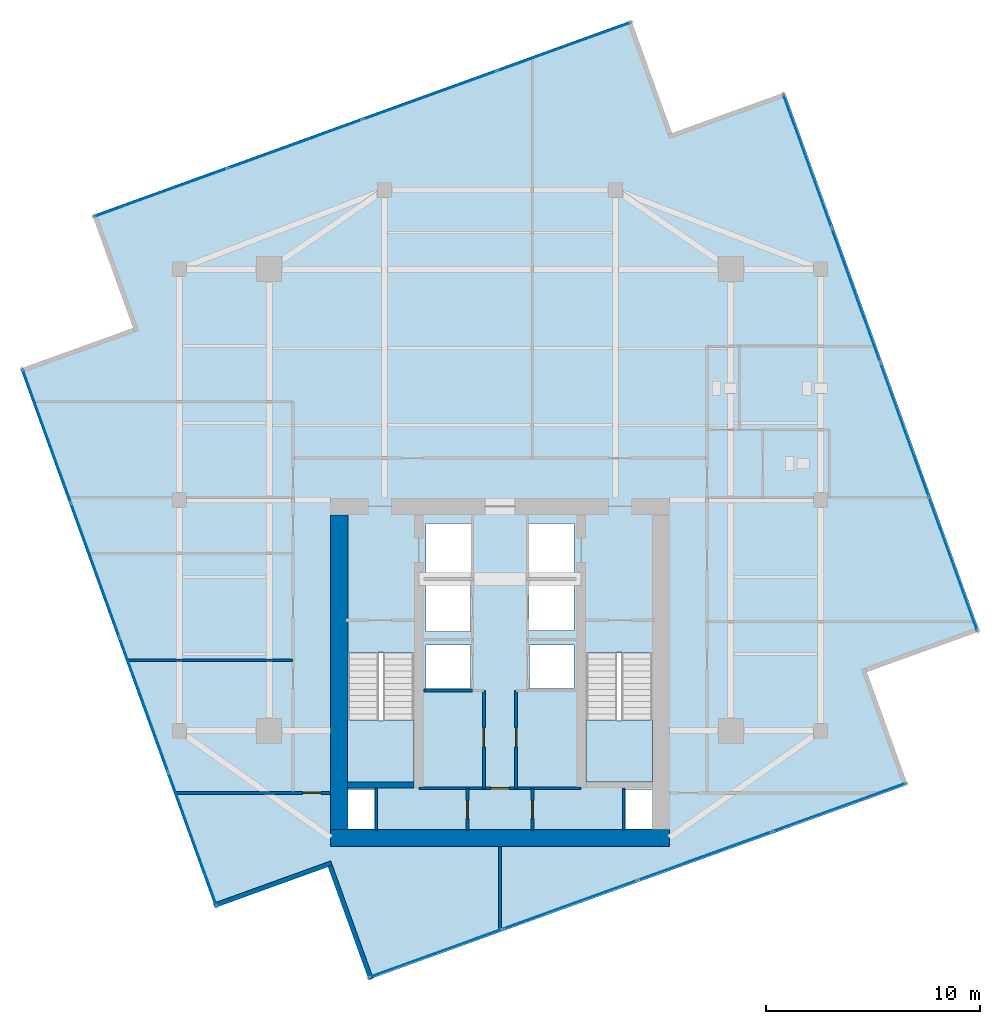
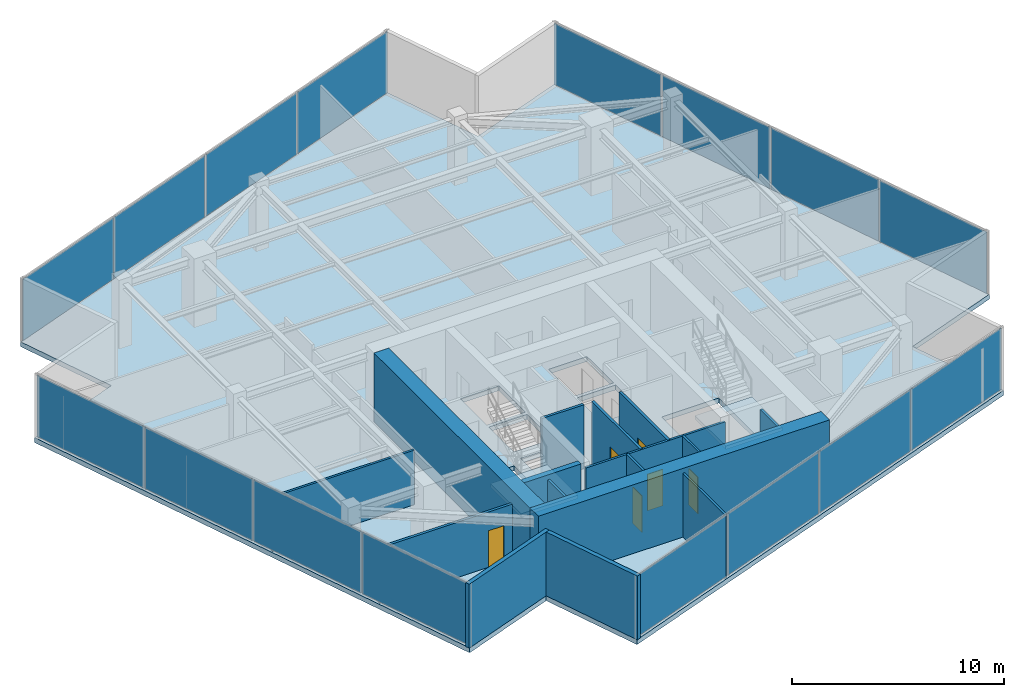
# One storey, part 17 of 21: 16 plates, 16 walls, 6 doors, 3 slabs, 6 openings, 6 elements without a shape of their own.
"""IFC4 building model written with IfcOpenShell, lengths in metres."""

import ifcopenshell
import ifcopenshell.guid

model = None  # the IFC model being written
_history = None  # IfcOwnerHistory: only IFC2X3 demands one
_inside = {}  # id of a spatial element -> (the spatial element, [elements in it])
_under = {}  # id of a project, library or spatial element -> (it, [spatial elements below it])
_declared = {}  # id of a project -> (the project, [libraries it declares])
_typed = {}  # id of a type object -> (the type object, [elements of that type])
_made_of = {}  # id of a material, layer set ... -> (it, [elements and type objects made of it])


def new_model(schema):
    """Start an empty IFC model of exactly this schema.

    Asked for "IFC4X3", IfcOpenShell would pick the latest addendum, in which some entities
    have other attributes; the version numbers below select the first issue.
    IFC2X3 requires an IfcOwnerHistory on every rooted entity: one is made here for all.
    """
    global model, _history
    if schema == "IFC4X3":
        model = ifcopenshell.file(schema_version=(4, 3, 0, 0))
    else:
        model = ifcopenshell.file(schema=schema)
    _inside.clear()
    _under.clear()
    _declared.clear()
    _typed.clear()
    _made_of.clear()
    _history = None
    if model.schema == "IFC2X3":
        org = make("IfcOrganization", Name="unknown")
        user = make(
            "IfcPersonAndOrganization",
            ThePerson=make("IfcPerson", FamilyName="unknown"),
            TheOrganization=org,
        )
        app = make(
            "IfcApplication",
            ApplicationDeveloper=org,
            Version="unknown",
            ApplicationFullName="unknown",
            ApplicationIdentifier="unknown",
        )
        _history = make(
            "IfcOwnerHistory",
            OwningUser=user,
            OwningApplication=app,
            ChangeAction="ADDED",
            CreationDate=0,
        )
    return model


def make(cls, **values):
    """One entity of the class cls with the attributes given. An attribute that is None is left unset."""
    return model.create_entity(
        cls, **{name: value for name, value in values.items() if value is not None}
    )


def rooted(cls, **values):
    """An entity with a GlobalId (a new one), such as an element, a storey or a relation."""
    return make(cls, GlobalId=ifcopenshell.guid.new(), OwnerHistory=_history, **values)


def si_unit(unit_type, name, prefix=None):
    """IfcSIUnit, for example si_unit("LENGTHUNIT", "METRE", prefix="MILLI")."""
    return make("IfcSIUnit", UnitType=unit_type, Prefix=prefix, Name=name)


def assignment(units):
    """IfcUnitAssignment: the units of a project."""
    return None if units is None else make("IfcUnitAssignment", Units=units)


def point(xyz):
    """IfcCartesianPoint."""
    return None if xyz is None else make("IfcCartesianPoint", Coordinates=xyz)


def direction(xyz):
    """IfcDirection."""
    return None if xyz is None else make("IfcDirection", DirectionRatios=xyz)


def frame(location, z_axis=None, x_axis=None):
    """IfcAxis2Placement3D, a coordinate frame: its origin and axes. An axis left out is left unset."""
    return make(
        "IfcAxis2Placement3D",
        Location=point(location),
        Axis=direction(z_axis),
        RefDirection=direction(x_axis),
    )


def frame_2d(location, x_axis=None):
    """IfcAxis2Placement2D, a coordinate frame in the plane: its origin and x axis."""
    return make(
        "IfcAxis2Placement2D", Location=point(location), RefDirection=direction(x_axis)
    )


def origin():
    """The frame at (0, 0, 0) with its axes left unset."""
    return frame((0.0, 0.0, 0.0))


def origin_2d():
    """The frame at (0, 0) in the plane with its x axis left unset."""
    return frame_2d((0.0, 0.0))


def place(relative_to, where):
    """IfcLocalPlacement: puts the frame where relative to a parent placement (None: the world)."""
    return make(
        "IfcLocalPlacement", PlacementRelTo=relative_to, RelativePlacement=where
    )


def context(
    kind, dimensions, precision=None, world=None, true_north=None, identifier=None
):
    """IfcGeometricRepresentationContext, for example the 3D "Model" context."""
    return make(
        "IfcGeometricRepresentationContext",
        ContextIdentifier=identifier,
        ContextType=kind,
        CoordinateSpaceDimension=dimensions,
        Precision=precision,
        WorldCoordinateSystem=world,
        TrueNorth=true_north,
    )


def subcontext(parent, identifier, kind, view, scale=None):
    """IfcGeometricRepresentationSubContext, for example "Body" below "Model"."""
    return make(
        "IfcGeometricRepresentationSubContext",
        ContextIdentifier=identifier,
        ContextType=kind,
        ParentContext=parent,
        TargetScale=scale,
        TargetView=view,
    )


def project(units=None, contexts=None):
    """IfcProject with its units and contexts."""
    return rooted(
        "IfcProject",
        Name="project",
        RepresentationContexts=contexts,
        UnitsInContext=assignment(units),
    )


def spatial(cls, under=None, at=None, **own):
    """A site, building, storey or space (cls), placed at a placement, below another one or the project."""
    s = rooted(cls, ObjectPlacement=at, **own)
    if under is not None:
        _under.setdefault(under.id(), (under, []))[1].append(s)
    return s


def polyline(points):
    """IfcPolyline through the points."""
    return make("IfcPolyline", Points=[point(p) for p in points])


def profile(cls, at=None, kind="AREA", **sizes):
    """A parametric profile (cls). Its sizes go by their IFC names, for example OverallWidth=200.0."""
    return make(cls, ProfileType=kind, Position=at, **sizes)


def rectangle(**sizes):
    """IfcRectangleProfileDef."""
    return profile("IfcRectangleProfileDef", **sizes)


def outline(outer, holes=None, kind="AREA"):
    """IfcArbitraryClosedProfileDef: a profile drawn as a closed curve; with holes, ...WithVoids."""
    if holes is None:
        return make("IfcArbitraryClosedProfileDef", ProfileType=kind, OuterCurve=outer)
    return make(
        "IfcArbitraryProfileDefWithVoids",
        ProfileType=kind,
        OuterCurve=outer,
        InnerCurves=holes,
    )


def extrude(swept, where, along, depth):
    """IfcExtrudedAreaSolid: the profile swept, set in the frame where, extruded along a direction by depth."""
    return make(
        "IfcExtrudedAreaSolid",
        SweptArea=swept,
        Position=where,
        ExtrudedDirection=direction(along),
        Depth=depth,
    )


def shape(context_of_items, identifier, shape_type, items):
    """IfcShapeRepresentation: the items that make up one representation, for example the "Body"."""
    return make(
        "IfcShapeRepresentation",
        ContextOfItems=context_of_items,
        RepresentationIdentifier=identifier,
        RepresentationType=shape_type,
        Items=items,
    )


def source(mapping_origin, context_of_items, identifier, shape_type, items):
    """IfcRepresentationMap: a shape defined once, which mapped items show again and again."""
    return make(
        "IfcRepresentationMap",
        MappingOrigin=mapping_origin,
        MappedRepresentation=shape(context_of_items, identifier, shape_type, items),
    )


def transform(
    local_origin,
    x_axis=None,
    y_axis=None,
    z_axis=None,
    scale=None,
    scale2=None,
    scale3=None,
    uniform=True,
):
    """IfcCartesianTransformationOperator3D, or its non-uniform kind. x_axis, y_axis, z_axis: its Axis1, 2, 3."""
    if uniform:
        return make(
            "IfcCartesianTransformationOperator3D",
            Axis1=direction(x_axis),
            Axis2=direction(y_axis),
            LocalOrigin=point(local_origin),
            Scale=scale,
            Axis3=direction(z_axis),
        )
    return make(
        "IfcCartesianTransformationOperator3DnonUniform",
        Axis1=direction(x_axis),
        Axis2=direction(y_axis),
        LocalOrigin=point(local_origin),
        Scale=scale,
        Axis3=direction(z_axis),
        Scale2=scale2,
        Scale3=scale3,
    )


def mapped(mapping_source, mapping_target):
    """IfcMappedItem: shows the shape of a source again, moved by a transform."""
    return make(
        "IfcMappedItem", MappingSource=mapping_source, MappingTarget=mapping_target
    )


def material(Name=None, Category=None):
    """IfcMaterial."""
    return make("IfcMaterial", Name=Name, Category=Category)


def layer(
    of_material, thickness, ventilated=None, Name=None, Category=None, Priority=None
):
    """IfcMaterialLayer: one layer of a wall or slab, of a material (None: an air gap)."""
    return make(
        "IfcMaterialLayer",
        Material=of_material,
        LayerThickness=thickness,
        IsVentilated=ventilated,
        Name=Name,
        Category=Category,
        Priority=Priority,
    )


def layer_set(layers, Name=None):
    """IfcMaterialLayerSet."""
    return make("IfcMaterialLayerSet", MaterialLayers=layers, LayerSetName=Name)


def made_of(thing, what):
    """Note that an element or type object is made of a material, layer set ...; save() writes the relation."""
    if what is not None:
        _made_of.setdefault(what.id(), (what, []))[1].append(thing)
    return thing


def type_object(cls, material=None, **own):
    """A type object (cls), such as IfcWallType, which elements share."""
    return made_of(rooted(cls, **own), material)


def type_shapes(of_type, sources):
    """Give a type object the sources (RepresentationMaps) that its elements show as mapped items."""
    of_type.RepresentationMaps = sources


def element(
    cls,
    number,
    at=None,
    inside=None,
    cuts=None,
    type_object=None,
    material=None,
    context=None,
    identifier="Body",
    shape_type=None,
    held_by="IfcProductDefinitionShape",
    body=None,
    shapes=None,
    **own,
):
    """One element of the class cls, such as IfcWall. Its Tag is "e" and its number.

    at: its placement. inside: the storey or other place that contains it. cuts: it is an
    opening in that element (IfcRelVoidsElement). A single representation is given by context,
    identifier, shape_type and body (its items); several are given by shapes. held_by: the class
    of the entity that holds the representations. save() writes the other relations.
    """
    e = rooted(cls, Tag="e%d" % number, ObjectPlacement=at, **own)
    if body is not None:
        shapes = [shape(context, identifier, shape_type, body)]
    if shapes is not None:
        e.Representation = make(held_by, Representations=shapes)
    if inside is not None:
        _inside.setdefault(inside.id(), (inside, []))[1].append(e)
    if cuts is not None:
        rooted(
            "IfcRelVoidsElement", RelatingBuildingElement=cuts, RelatedOpeningElement=e
        )
    if type_object is not None:
        _typed.setdefault(type_object.id(), (type_object, []))[1].append(e)
    return made_of(e, material)


def fill(opening, filler):
    """IfcRelFillsElement: the door or window that sits in an opening."""
    return rooted(
        "IfcRelFillsElement",
        RelatingOpeningElement=opening,
        RelatedBuildingElement=filler,
    )


def aggregate(whole, parts):
    """IfcRelAggregates: a whole, such as a stair, and the parts it consists of."""
    return rooted("IfcRelAggregates", RelatingObject=whole, RelatedObjects=parts)


def save(model, path):
    """Write the relations noted so far, then the file.

    IfcRelAggregates (storeys below a building ...), IfcRelContainedInSpatialStructure (elements
    in a storey), IfcRelDefinesByType, IfcRelAssociatesMaterial and IfcRelDeclares: one each for
    every whole, place, type object, material and project.
    """
    for whole, parts in _under.values():
        aggregate(whole, parts)
    for where, things in _inside.values():
        rooted(
            "IfcRelContainedInSpatialStructure",
            RelatedElements=things,
            RelatingStructure=where,
        )
    for kind, things in _typed.values():
        rooted("IfcRelDefinesByType", RelatedObjects=things, RelatingType=kind)
    for what, things in _made_of.values():
        rooted("IfcRelAssociatesMaterial", RelatedObjects=things, RelatingMaterial=what)
    for by, libraries in _declared.values():
        rooted("IfcRelDeclares", RelatingContext=by, RelatedDefinitions=libraries)
    model.write(path)


model = new_model("IFC4")

# Units and contexts
model_context = context("Model", 3, precision=1e-05, world=origin(), true_north=direction((0.0, 1.0)))
body_context = subcontext(model_context, "Body", "Model", "MODEL_VIEW")
ifc_project = project(units=[si_unit("LENGTHUNIT", "METRE"), si_unit("AREAUNIT", "SQUARE_METRE"), si_unit("VOLUMEUNIT", "CUBIC_METRE"), si_unit("PLANEANGLEUNIT", "RADIAN"), si_unit("MASSUNIT", "GRAM", prefix="KILO")], contexts=[model_context])

# Site, building, storey
site_placement = place(None, origin())
site = spatial("IfcSite", under=ifc_project, at=site_placement, CompositionType="ELEMENT")
building_placement = place(site_placement, origin())
building = spatial("IfcBuilding", under=site, at=building_placement, Name="Krantzveldt Concourse Tower", CompositionType="ELEMENT")
storey_placement = place(building_placement, frame((0.0, 0.0, 335.60009765625)))
storey = spatial("IfcBuildingStorey", under=building, at=storey_placement, Name="L82", CompositionType="ELEMENT", Elevation=335.60009765625)

# Stair, slab
ifc_material_1 = material(Name="Precast concrete C40/50", Category="concrete")
stair_type = type_object("IfcStairType", Name="STR-CORE-DOGLEG", PredefinedType="HALF_TURN_STAIR", material=ifc_material_1)
stair_1_placement = place(storey_placement, origin())
stair_1 = element("IfcStair", 1, at=stair_1_placement, inside=storey, type_object=stair_type, Name="L82 Protected Escape Stair ST-1", PredefinedType="HALF_TURN_STAIR")
ifc_layer_1 = layer(ifc_material_1, 0.199951171875, Name="Precast concrete C40/50", Category="concrete")
ifc_layer_set_1 = layer_set([ifc_layer_1], Name="Precast concrete C40/50 (SL-LANDING-200)")
slab_type_1 = type_object("IfcSlabType", Name="SL-LANDING-200", PredefinedType="LANDING", material=ifc_layer_set_1)
slab_1_placement = place(storey_placement, frame((0.0, 0.0, 1.77490234375)))
slab_1 = element("IfcSlab", 2, at=slab_1_placement, type_object=slab_type_1, Name="ST-1 landing 1", PredefinedType="LANDING", context=body_context, shape_type="SweptSolid", body=[
    extrude(outline(polyline([(28.8798828125, 16.4150390625), (28.8798828125, 13.52001953125), (31.97998046875, 13.52001953125), (31.97998046875, 16.4150390625), (28.8798828125, 16.4150390625)])), origin(), (0.0, 0.0, 1.0), 0.199951171875),
])
aggregate(stair_1, [slab_1])

stair_2_placement = place(storey_placement, origin())
stair_2 = element("IfcStair", 3, at=stair_2_placement, inside=storey, type_object=stair_type, Name="L82 Protected Escape Stair ST-2", PredefinedType="HALF_TURN_STAIR")
slab_2_placement = place(storey_placement, frame((0.0, 0.0, 1.77490234375)))
slab_2 = element("IfcSlab", 4, at=slab_2_placement, type_object=slab_type_1, Name="ST-2 landing 1", PredefinedType="LANDING", context=body_context, shape_type="SweptSolid", body=[
    extrude(outline(polyline([(40.02001953125, 16.4150390625), (40.02001953125, 13.52001953125), (43.1201171875, 13.52001953125), (43.1201171875, 16.4150390625), (40.02001953125, 16.4150390625)])), origin(), (0.0, 0.0, 1.0), 0.199951171875),
])
aggregate(stair_2, [slab_2])

# Slab
ifc_material_2 = material(Name="Concrete C40/50", Category="concrete")
ifc_layer_2 = layer(ifc_material_2, 0.280029296875, Name="Concrete C40/50", Category="concrete")
ifc_layer_set_2 = layer_set([ifc_layer_2], Name="Concrete C40/50 (SL-SL-TWR280)")
slab_type_2 = type_object("IfcSlabType", Name="SL-SL-TWR280", PredefinedType="FLOOR", material=ifc_layer_set_2)
slab_3_placement = place(storey_placement, frame((0.0, 0.0, -0.280029296875)))
element("IfcSlab", 5, at=slab_3_placement, inside=storey, type_object=slab_type_2, Name="SL-L82-MAIN", PredefinedType="FLOOR", context=body_context, shape_type="SweptSolid", body=[
    extrude(outline(polyline([(44.046142578125, 43.857421875), (42.142333984375, 49.123779296875), (16.938720703125, 40.0126953125), (18.842529296875, 34.746337890625), (13.576171875, 32.842529296875), (22.687255859375, 7.638671875), (27.953857421875, 9.54248046875), (29.857666015625, 4.276123046875), (55.061279296875, 13.38720703125), (53.157470703125, 18.65380859375), (58.423828125, 20.5576171875), (49.312744140625, 45.76123046875), (44.046142578125, 43.857421875)]), holes=[polyline([(28.8798828125, 19.547607421875), (28.8798828125, 13.52001953125), (31.97998046875, 13.52001953125), (31.97998046875, 19.547607421875), (28.8798828125, 19.547607421875)]), polyline([(40.02001953125, 19.547607421875), (40.02001953125, 13.52001953125), (43.1201171875, 13.52001953125), (43.1201171875, 19.547607421875), (40.02001953125, 19.547607421875)]), polyline([(32.550048828125, 23.10009765625), (34.64990234375, 23.10009765625), (34.64990234375, 25.60009765625), (32.550048828125, 25.60009765625), (32.550048828125, 23.10009765625)]), polyline([(37.35009765625, 23.10009765625), (39.449951171875, 23.10009765625), (39.449951171875, 25.60009765625), (37.35009765625, 25.60009765625), (37.35009765625, 23.10009765625)]), polyline([(37.35009765625, 20.60009765625), (39.449951171875, 20.60009765625), (39.449951171875, 22.89990234375), (37.35009765625, 22.89990234375), (37.35009765625, 20.60009765625)]), polyline([(32.550048828125, 20.550048828125), (34.6201171875, 20.550048828125), (34.6201171875, 22.89990234375), (32.550048828125, 22.89990234375), (32.550048828125, 20.550048828125)]), polyline([(32.550048828125, 17.8798828125), (34.6201171875, 17.8798828125), (34.6201171875, 19.919921875), (32.550048828125, 19.919921875), (32.550048828125, 17.8798828125)]), polyline([(37.3798828125, 17.8798828125), (39.449951171875, 17.8798828125), (39.449951171875, 19.919921875), (37.3798828125, 19.919921875), (37.3798828125, 17.8798828125)]), polyline([(28.8798828125, 11.320068359375), (30.139892578125, 11.320068359375), (30.139892578125, 13.159912109375), (28.8798828125, 13.159912109375), (28.8798828125, 11.320068359375)]), polyline([(41.860107421875, 11.320068359375), (43.1201171875, 11.320068359375), (43.1201171875, 13.159912109375), (41.860107421875, 13.159912109375), (41.860107421875, 11.320068359375)])]), origin(), (0.0, 0.0, 1.0), 0.280029296875),
])

# Curtain wall, plates
ifc_material_3 = material(Name="Anodised aluminium 6063-T6", Category="aluminium")
curtain_wall_type = type_object("IfcCurtainWallType", Name="CW4", PredefinedType="USERDEFINED", material=ifc_material_3)
curtain_wall_1_placement = place(storey_placement, origin())
curtain_wall_1 = element("IfcCurtainWall", 6, at=curtain_wall_1_placement, inside=storey, type_object=curtain_wall_type, Name="CW-L82-F01", ObjectType="UNITISED CURTAIN WALL", PredefinedType="USERDEFINED")
ifc_material_4 = material(Name="Bronze-tinted laminated low-E IGU glass", Category="glass")
ifc_layer_3 = layer(ifc_material_4, 0.031982421875, Name="Bronze-tinted laminated low-E IGU glass", Category="glass")
ifc_layer_set_3 = layer_set([ifc_layer_3], Name="Bronze-tinted laminated low-E IGU glass (CW-GLZ-32)")
plate_type = type_object("IfcPlateType", Name="CW-GLZ-32", PredefinedType="CURTAIN_PANEL", material=ifc_layer_set_3)
shared_shape_1 = source(origin(), body_context, "Body", "SweptSolid", [
    extrude(rectangle(XDim=6.594970703125, YDim=0.031982421875, at=origin_2d()), origin(), (0.0, 0.0, 1.0), 3.530029296875),
])
plate_1_placement = place(storey_placement, frame((39.006103515625, 47.894287109375, 0.06982421875), z_axis=(0.0, 0.0, 1.0), x_axis=(-0.940436624478, -0.339969050563, 0.0)))
plate_1 = element("IfcPlate", 7, at=plate_1_placement, type_object=plate_type, Name="CW-Z56 panel 1.1", PredefinedType="CURTAIN_PANEL", context=body_context, shape_type="MappedRepresentation", body=[
    mapped(shared_shape_1, transform((0.0, 0.0, 0.0), x_axis=(1.0, 0.0, 0.0), y_axis=(0.0, 1.0, 0.0), z_axis=(0.0, 0.0, 1.0), scale=1.0)),
])
plate_2_placement = place(storey_placement, frame((20.13623046875, 41.072998046875, 0.06982421875), z_axis=(0.0, 0.0, 1.0), x_axis=(-0.940436624478, -0.339969050563, 0.0)))
plate_2 = element("IfcPlate", 8, at=plate_2_placement, type_object=plate_type, Name="CW-Z56 panel 4.1", PredefinedType="CURTAIN_PANEL", context=body_context, shape_type="MappedRepresentation", body=[
    mapped(shared_shape_1, transform((0.0, 0.0, 0.0), x_axis=(1.0, 0.0, 0.0), y_axis=(0.0, 1.0, 0.0), z_axis=(0.0, 0.0, 1.0), scale=1.0)),
])

curtain_wall_2_placement = place(storey_placement, origin())
curtain_wall_2 = element("IfcCurtainWall", 9, at=curtain_wall_2_placement, inside=storey, type_object=curtain_wall_type, Name="CW-L82-F04", ObjectType="UNITISED CURTAIN WALL", PredefinedType="USERDEFINED")
plate_3_placement = place(storey_placement, frame((14.8056640625, 29.7060546875, 0.06982421875), z_axis=(0.0, 0.0, 1.0), x_axis=(0.339969050563, -0.940436624478, 0.0)))
plate_3 = element("IfcPlate", 10, at=plate_3_placement, type_object=plate_type, Name="CW-Z56 panel 1.1", PredefinedType="CURTAIN_PANEL", context=body_context, shape_type="MappedRepresentation", body=[
    mapped(shared_shape_1, transform((0.0, 0.0, 0.0), x_axis=(1.0, 0.0, 0.0), y_axis=(0.0, 1.0, 0.0), z_axis=(0.0, 0.0, 1.0), scale=1.0)),
])
plate_4_placement = place(storey_placement, frame((21.627197265625, 10.836181640625, 0.06982421875), z_axis=(0.0, 0.0, 1.0), x_axis=(0.339969050563, -0.940436624478, 0.0)))
plate_4 = element("IfcPlate", 11, at=plate_4_placement, type_object=plate_type, Name="CW-Z56 panel 4.1", PredefinedType="CURTAIN_PANEL", context=body_context, shape_type="MappedRepresentation", body=[
    mapped(shared_shape_1, transform((0.0, 0.0, 0.0), x_axis=(1.0, 0.0, 0.0), y_axis=(0.0, 1.0, 0.0), z_axis=(0.0, 0.0, 1.0), scale=1.0)),
])

curtain_wall_3_placement = place(storey_placement, origin())
curtain_wall_3 = element("IfcCurtainWall", 12, at=curtain_wall_3_placement, inside=storey, type_object=curtain_wall_type, Name="CW-L82-F07", ObjectType="UNITISED CURTAIN WALL", PredefinedType="USERDEFINED")
plate_5_placement = place(storey_placement, frame((32.993896484375, 5.505615234375, 0.06982421875), z_axis=(0.0, 0.0, 1.0), x_axis=(0.940436624478, 0.339969050563, 0.0)))
plate_5 = element("IfcPlate", 13, at=plate_5_placement, type_object=plate_type, Name="CW-Z56 panel 1.1", PredefinedType="CURTAIN_PANEL", context=body_context, shape_type="MappedRepresentation", body=[
    mapped(shared_shape_1, transform((0.0, 0.0, 0.0), x_axis=(1.0, 0.0, 0.0), y_axis=(0.0, 1.0, 0.0), z_axis=(0.0, 0.0, 1.0), scale=1.0)),
])
plate_6_placement = place(storey_placement, frame((51.86376953125, 12.3271484375, 0.06982421875), z_axis=(0.0, 0.0, 1.0), x_axis=(0.940436624478, 0.339969050563, 0.0)))
plate_6 = element("IfcPlate", 14, at=plate_6_placement, type_object=plate_type, Name="CW-Z56 panel 4.1", PredefinedType="CURTAIN_PANEL", context=body_context, shape_type="MappedRepresentation", body=[
    mapped(shared_shape_1, transform((0.0, 0.0, 0.0), x_axis=(1.0, 0.0, 0.0), y_axis=(0.0, 1.0, 0.0), z_axis=(0.0, 0.0, 1.0), scale=1.0)),
])

curtain_wall_4_placement = place(storey_placement, origin())
curtain_wall_4 = element("IfcCurtainWall", 15, at=curtain_wall_4_placement, inside=storey, type_object=curtain_wall_type, Name="CW-L82-F10", ObjectType="UNITISED CURTAIN WALL", PredefinedType="USERDEFINED")
plate_7_placement = place(storey_placement, frame((57.1943359375, 23.69384765625, 0.06982421875), z_axis=(0.0, 0.0, 1.0), x_axis=(-0.339969050563, 0.940436624478, 0.0)))
plate_7 = element("IfcPlate", 16, at=plate_7_placement, type_object=plate_type, Name="CW-Z56 panel 1.1", PredefinedType="CURTAIN_PANEL", context=body_context, shape_type="MappedRepresentation", body=[
    mapped(shared_shape_1, transform((0.0, 0.0, 0.0), x_axis=(1.0, 0.0, 0.0), y_axis=(0.0, 1.0, 0.0), z_axis=(0.0, 0.0, 1.0), scale=1.0)),
])
plate_8_placement = place(storey_placement, frame((50.372802734375, 42.563720703125, 0.06982421875), z_axis=(0.0, 0.0, 1.0), x_axis=(-0.339969050563, 0.940436624478, 0.0)))
plate_8 = element("IfcPlate", 17, at=plate_8_placement, type_object=plate_type, Name="CW-Z56 panel 4.1", PredefinedType="CURTAIN_PANEL", context=body_context, shape_type="MappedRepresentation", body=[
    mapped(shared_shape_1, transform((0.0, 0.0, 0.0), x_axis=(1.0, 0.0, 0.0), y_axis=(0.0, 1.0, 0.0), z_axis=(0.0, 0.0, 1.0), scale=1.0)),
])

# Plate
shared_shape_2 = source(origin(), body_context, "Body", "SweptSolid", [
    extrude(rectangle(XDim=6.6298828125, YDim=0.031982421875, at=origin_2d()), origin(), (0.0, 0.0, 1.0), 3.530029296875),
])
type_shapes(plate_type, [shared_shape_1, shared_shape_2])
plate_9_placement = place(storey_placement, frame((32.7216796875, 45.62255859375, 0.06982421875), z_axis=(0.0, 0.0, 1.0), x_axis=(-0.940436624478, -0.339969050563, 0.0)))
plate_9 = element("IfcPlate", 18, at=plate_9_placement, type_object=plate_type, Name="CW-Z56 panel 2.1", PredefinedType="CURTAIN_PANEL", context=body_context, shape_type="MappedRepresentation", body=[
    mapped(shared_shape_2, transform((0.0, 0.0, 0.0), x_axis=(1.0, 0.0, 0.0), y_axis=(0.0, 1.0, 0.0), z_axis=(0.0, 0.0, 1.0), scale=1.0)),
])

plate_10_placement = place(storey_placement, frame((26.420654296875, 43.3447265625, 0.06982421875), z_axis=(0.0, 0.0, 1.0), x_axis=(-0.940436624478, -0.339969050563, 0.0)))
plate_10 = element("IfcPlate", 19, at=plate_10_placement, type_object=plate_type, Name="CW-Z56 panel 3.1", PredefinedType="CURTAIN_PANEL", context=body_context, shape_type="MappedRepresentation", body=[
    mapped(shared_shape_2, transform((0.0, 0.0, 0.0), x_axis=(1.0, 0.0, 0.0), y_axis=(0.0, 1.0, 0.0), z_axis=(0.0, 0.0, 1.0), scale=1.0)),
])

aggregate(curtain_wall_1, [plate_1, plate_9, plate_10, plate_2])

plate_11_placement = place(storey_placement, frame((17.077392578125, 23.421630859375, 0.06982421875), z_axis=(0.0, 0.0, 1.0), x_axis=(0.339969050563, -0.940436624478, 0.0)))
plate_11 = element("IfcPlate", 20, at=plate_11_placement, type_object=plate_type, Name="CW-Z56 panel 2.1", PredefinedType="CURTAIN_PANEL", context=body_context, shape_type="MappedRepresentation", body=[
    mapped(shared_shape_2, transform((0.0, 0.0, 0.0), x_axis=(1.0, 0.0, 0.0), y_axis=(0.0, 1.0, 0.0), z_axis=(0.0, 0.0, 1.0), scale=1.0)),
])

plate_12_placement = place(storey_placement, frame((19.355224609375, 17.12060546875, 0.06982421875), z_axis=(0.0, 0.0, 1.0), x_axis=(0.339969050563, -0.940436624478, 0.0)))
plate_12 = element("IfcPlate", 21, at=plate_12_placement, type_object=plate_type, Name="CW-Z56 panel 3.1", PredefinedType="CURTAIN_PANEL", context=body_context, shape_type="MappedRepresentation", body=[
    mapped(shared_shape_2, transform((0.0, 0.0, 0.0), x_axis=(1.0, 0.0, 0.0), y_axis=(0.0, 1.0, 0.0), z_axis=(0.0, 0.0, 1.0), scale=1.0)),
])

aggregate(curtain_wall_2, [plate_3, plate_11, plate_12, plate_4])

plate_13_placement = place(storey_placement, frame((39.2783203125, 7.77734375, 0.06982421875), z_axis=(0.0, 0.0, 1.0), x_axis=(0.940436624478, 0.339969050563, 0.0)))
plate_13 = element("IfcPlate", 22, at=plate_13_placement, type_object=plate_type, Name="CW-Z56 panel 2.1", PredefinedType="CURTAIN_PANEL", context=body_context, shape_type="MappedRepresentation", body=[
    mapped(shared_shape_2, transform((0.0, 0.0, 0.0), x_axis=(1.0, 0.0, 0.0), y_axis=(0.0, 1.0, 0.0), z_axis=(0.0, 0.0, 1.0), scale=1.0)),
])

plate_14_placement = place(storey_placement, frame((45.579345703125, 10.05517578125, 0.06982421875), z_axis=(0.0, 0.0, 1.0), x_axis=(0.940436624478, 0.339969050563, 0.0)))
plate_14 = element("IfcPlate", 23, at=plate_14_placement, type_object=plate_type, Name="CW-Z56 panel 3.1", PredefinedType="CURTAIN_PANEL", context=body_context, shape_type="MappedRepresentation", body=[
    mapped(shared_shape_2, transform((0.0, 0.0, 0.0), x_axis=(1.0, 0.0, 0.0), y_axis=(0.0, 1.0, 0.0), z_axis=(0.0, 0.0, 1.0), scale=1.0)),
])

aggregate(curtain_wall_3, [plate_5, plate_13, plate_14, plate_6])

plate_15_placement = place(storey_placement, frame((54.922607421875, 29.978271484375, 0.06982421875), z_axis=(0.0, 0.0, 1.0), x_axis=(-0.339969050563, 0.940436624478, 0.0)))
plate_15 = element("IfcPlate", 24, at=plate_15_placement, type_object=plate_type, Name="CW-Z56 panel 2.1", PredefinedType="CURTAIN_PANEL", context=body_context, shape_type="MappedRepresentation", body=[
    mapped(shared_shape_2, transform((0.0, 0.0, 0.0), x_axis=(1.0, 0.0, 0.0), y_axis=(0.0, 1.0, 0.0), z_axis=(0.0, 0.0, 1.0), scale=1.0)),
])

plate_16_placement = place(storey_placement, frame((52.644775390625, 36.279296875, 0.06982421875), z_axis=(0.0, 0.0, 1.0), x_axis=(-0.339969050563, 0.940436624478, 0.0)))
plate_16 = element("IfcPlate", 25, at=plate_16_placement, type_object=plate_type, Name="CW-Z56 panel 3.1", PredefinedType="CURTAIN_PANEL", context=body_context, shape_type="MappedRepresentation", body=[
    mapped(shared_shape_2, transform((0.0, 0.0, 0.0), x_axis=(1.0, 0.0, 0.0), y_axis=(0.0, 1.0, 0.0), z_axis=(0.0, 0.0, 1.0), scale=1.0)),
])

aggregate(curtain_wall_4, [plate_7, plate_15, plate_16, plate_8])

# Walls
ifc_layer_4 = layer(ifc_material_3, 0.219970703125, Name="Anodised aluminium 6063-T6", Category="aluminium")
ifc_layer_set_4 = layer_set([ifc_layer_4], Name="Anodised aluminium 6063-T6 (WL-EXT-NOTCH220)")
wall_type_1 = type_object("IfcWallType", Name="WL-EXT-NOTCH220", PredefinedType="ELEMENTEDWALL", material=ifc_layer_set_4)
wall_1_placement = place(storey_placement, frame((22.62646484375, 7.733642578125, 0.0), z_axis=(0.0, 0.0, 1.0), x_axis=(0.940439315222, 0.339961607222, 0.0)))
element("IfcWall", 26, at=wall_1_placement, inside=storey, type_object=wall_type_1, Name="EW-L82-NCH05", PredefinedType="ELEMENTEDWALL", context=body_context, shape_type="SweptSolid", body=[
    extrude(rectangle(XDim=5.844970703125, YDim=0.219970703125, at=frame_2d((2.92236328125, 0.0))), origin(), (0.0, 0.0, 1.0), 3.669921875),
])
wall_2_placement = place(storey_placement, frame((28.05712890625, 9.580078125, 0.0), z_axis=(0.0, 0.0, 1.0), x_axis=(0.339968670636, -0.940436761822, 0.0)))
element("IfcWall", 27, at=wall_2_placement, inside=storey, type_object=wall_type_1, Name="EW-L82-NCH06", PredefinedType="ELEMENTEDWALL", context=body_context, shape_type="SweptSolid", body=[
    extrude(rectangle(XDim=5.625, YDim=0.219970703125, at=frame_2d((2.8125, 0.0))), origin(), (0.0, 0.0, 1.0), 3.669921875),
])

# Wall, opening, door
ifc_material_5 = material(Name="Fire-rated gypsum plasterboard on steel stud", Category="steel")
ifc_layer_5 = layer(ifc_material_5, 0.1201171875, Name="Fire-rated gypsum plasterboard on steel stud", Category="steel")
ifc_layer_set_5 = layer_set([ifc_layer_5], Name="Fire-rated gypsum plasterboard on steel stud (WL-PART-120)")
wall_type_2 = type_object("IfcWallType", Name="WL-PART-120", PredefinedType="PARTITIONING", material=ifc_layer_set_5)
wall_3_placement = place(storey_placement, frame((32.2099609375, 13.219970703125, 0.0), z_axis=(0.0, 0.0, 1.0), x_axis=(1.0, 0.0, 0.0)))
wall_3 = element("IfcWall", 28, at=wall_3_placement, inside=storey, type_object=wall_type_2, Name="WP-L82-CS2H", PredefinedType="PARTITIONING", context=body_context, shape_type="SweptSolid", body=[
    extrude(rectangle(XDim=7.580078125, YDim=0.1201171875, at=frame_2d((3.7900390625, 0.0))), origin(), (0.0, 0.0, 1.0), 3.669921875),
])
opening_1_placement = place(wall_3_placement, frame((3.364990234375, 0.0, 0.0)))
opening_1 = element("IfcOpeningElement", 29, at=opening_1_placement, cuts=wall_3, Name="Opening D-IN085", PredefinedType="OPENING", context=body_context, shape_type="SweptSolid", body=[
    extrude(rectangle(XDim=0.85009765625, YDim=2.10009765625, at=frame_2d((0.425048828125, 1.050048828125))), frame((0.0, 0.070068359375, 0.0), z_axis=(0.0, -1.0, 0.0), x_axis=(1.0, 0.0, 0.0)), (0.0, 0.0, 1.0), 0.14013671875),
])
ifc_material_6 = material(Name="Hardwood timber", Category="wood")
door_type_1 = type_object("IfcDoorType", Name="DR-INT-850", OperationType="SINGLE_SWING_LEFT", PredefinedType="DOOR", material=ifc_material_6)
door_1_placement = place(opening_1_placement, origin())
door_1 = element("IfcDoor", 30, at=door_1_placement, inside=storey, type_object=door_type_1, Name="DR-L82-LLBS", OperationType="SINGLE_SWING_RIGHT", OverallHeight=2.10009765625, OverallWidth=0.85009765625, PredefinedType="DOOR", context=body_context, shape_type="SweptSolid", body=[
    extrude(rectangle(XDim=0.85009765625, YDim=2.10009765625, at=frame_2d((0.425048828125, 1.050048828125))), frame((0.0, 0.02490234375, 0.0), z_axis=(0.0, -1.0, 0.0), x_axis=(1.0, 0.0, 0.0)), (0.0, 0.0, 1.0), 0.050048828125),
])
fill(opening_1, door_1)

wall_4_placement = place(storey_placement, frame((34.47998046875, 11.25, 0.0), z_axis=(0.0, 0.0, 1.0), x_axis=(0.0, 1.0, 0.0)))
wall_4 = element("IfcWall", 31, at=wall_4_placement, inside=storey, type_object=wall_type_2, Name="WP-L82-CSB-VL", PredefinedType="PARTITIONING", context=body_context, shape_type="SweptSolid", body=[
    extrude(rectangle(XDim=1.969970703125, YDim=0.1201171875, at=frame_2d((0.98486328125, 0.0))), origin(), (0.0, 0.0, 1.0), 3.669921875),
])
opening_2_placement = place(wall_4_placement, frame((0.544921875, 0.0, 0.0)))
opening_2 = element("IfcOpeningElement", 32, at=opening_2_placement, cuts=wall_4, Name="Opening D-IN085", PredefinedType="OPENING", context=body_context, shape_type="SweptSolid", body=[
    extrude(rectangle(XDim=0.85009765625, YDim=2.10009765625, at=frame_2d((0.425048828125, 1.050048828125))), frame((0.0, 0.070068359375, 0.0), z_axis=(0.0, -1.0, 0.0), x_axis=(1.0, 0.0, 0.0)), (0.0, 0.0, 1.0), 0.14013671875),
])
door_2_placement = place(opening_2_placement, origin())
door_2 = element("IfcDoor", 33, at=door_2_placement, inside=storey, type_object=door_type_1, Name="DR-L82-CSB1", OperationType="SINGLE_SWING_LEFT", OverallHeight=2.10009765625, OverallWidth=0.85009765625, PredefinedType="DOOR", context=body_context, shape_type="SweptSolid", body=[
    extrude(rectangle(XDim=0.85009765625, YDim=2.10009765625, at=frame_2d((0.425048828125, 1.050048828125))), frame((0.0, 0.02490234375, 0.0), z_axis=(0.0, -1.0, 0.0), x_axis=(1.0, 0.0, 0.0)), (0.0, 0.0, 1.0), 0.050048828125),
])
fill(opening_2, door_2)

wall_5_placement = place(storey_placement, frame((37.52001953125, 11.25, 0.0), z_axis=(0.0, 0.0, 1.0), x_axis=(0.0, 1.0, 0.0)))
wall_5 = element("IfcWall", 34, at=wall_5_placement, inside=storey, type_object=wall_type_2, Name="WP-L82-CSB-VR", PredefinedType="PARTITIONING", context=body_context, shape_type="SweptSolid", body=[
    extrude(rectangle(XDim=1.969970703125, YDim=0.1201171875, at=frame_2d((0.98486328125, 0.0))), origin(), (0.0, 0.0, 1.0), 3.669921875),
])
opening_3_placement = place(wall_5_placement, frame((0.544921875, 0.0, 0.0)))
opening_3 = element("IfcOpeningElement", 35, at=opening_3_placement, cuts=wall_5, Name="Opening D-IN085", PredefinedType="OPENING", context=body_context, shape_type="SweptSolid", body=[
    extrude(rectangle(XDim=0.85009765625, YDim=2.10009765625, at=frame_2d((0.425048828125, 1.050048828125))), frame((0.0, 0.070068359375, 0.0), z_axis=(0.0, -1.0, 0.0), x_axis=(1.0, 0.0, 0.0)), (0.0, 0.0, 1.0), 0.14013671875),
])
door_3_placement = place(opening_3_placement, origin())
door_3 = element("IfcDoor", 36, at=door_3_placement, inside=storey, type_object=door_type_1, Name="DR-L82-CSB2", OperationType="SINGLE_SWING_RIGHT", OverallHeight=2.10009765625, OverallWidth=0.85009765625, PredefinedType="DOOR", context=body_context, shape_type="SweptSolid", body=[
    extrude(rectangle(XDim=0.85009765625, YDim=2.10009765625, at=frame_2d((0.425048828125, 1.050048828125))), frame((0.0, 0.02490234375, 0.0), z_axis=(0.0, -1.0, 0.0), x_axis=(1.0, 0.0, 0.0)), (0.0, 0.0, 1.0), 0.050048828125),
])
fill(opening_3, door_3)

# Walls
wall_6_placement = place(storey_placement, frame((18.603515625, 19.199951171875, 0.0), z_axis=(0.0, 0.0, 1.0), x_axis=(1.0, 0.0, 0.0)))
element("IfcWall", 37, at=wall_6_placement, inside=storey, type_object=wall_type_2, Name="WP-L82-WD1", PredefinedType="PARTITIONING", context=body_context, shape_type="SweptSolid", body=[
    extrude(rectangle(XDim=7.716552734375, YDim=0.1201171875, at=frame_2d((3.8583984375, 0.0))), origin(), (0.0, 0.0, 1.0), 3.1298828125),
])
wall_7_placement = place(storey_placement, frame((36.0, 6.59228515625, 0.0), z_axis=(0.0, 0.0, 1.0), x_axis=(0.0, 1.0, 0.0)))
element("IfcWall", 38, at=wall_7_placement, inside=storey, type_object=wall_type_2, Name="WP-L82-SSMD", PredefinedType="PARTITIONING", context=body_context, shape_type="SweptSolid", body=[
    extrude(rectangle(XDim=3.90771484375, YDim=0.1201171875, at=frame_2d((1.953857421875, 0.0))), origin(), (0.0, 0.0, 1.0), 3.669921875),
])

# Wall, opening, door
ifc_layer_6 = layer(ifc_material_5, 0.139892578125, Name="Fire-rated gypsum plasterboard on steel stud", Category="steel")
ifc_layer_set_6 = layer_set([ifc_layer_6], Name="Fire-rated gypsum plasterboard on steel stud (WL-PART-140)")
wall_type_3 = type_object("IfcWallType", Name="WL-PART-140", PredefinedType="PARTITIONING", material=ifc_layer_set_6)
wall_8_placement = place(storey_placement, frame((20.844970703125, 13.0, 0.0), z_axis=(0.0, 0.0, 1.0), x_axis=(1.0, 0.0, 0.0)))
wall_8 = element("IfcWall", 39, at=wall_8_placement, inside=storey, type_object=wall_type_3, Name="WP-L82-CSBOTW", PredefinedType="PARTITIONING", context=body_context, shape_type="SweptSolid", body=[
    extrude(rectangle(XDim=7.235107421875, YDim=0.139892578125, at=frame_2d((3.61767578125, 0.0))), origin(), (0.0, 0.0, 1.0), 3.179931640625),
])
opening_4_placement = place(wall_8_placement, frame((5.93017578125, 0.0, 0.0)))
opening_4 = element("IfcOpeningElement", 40, at=opening_4_placement, cuts=wall_8, Name="Opening D-IN085", PredefinedType="OPENING", context=body_context, shape_type="SweptSolid", body=[
    extrude(rectangle(XDim=0.85009765625, YDim=2.10009765625, at=frame_2d((0.425048828125, 1.050048828125))), frame((0.0, 0.080078125, 0.0), z_axis=(0.0, -1.0, 0.0), x_axis=(1.0, 0.0, 0.0)), (0.0, 0.0, 1.0), 0.159912109375),
])
door_4_placement = place(opening_4_placement, origin())
door_4 = element("IfcDoor", 41, at=door_4_placement, inside=storey, type_object=door_type_1, Name="DR-L82-SR1", OperationType="SINGLE_SWING_LEFT", OverallHeight=2.10009765625, OverallWidth=0.85009765625, PredefinedType="DOOR", context=body_context, shape_type="SweptSolid", body=[
    extrude(rectangle(XDim=0.85009765625, YDim=2.10009765625, at=frame_2d((0.425048828125, 1.050048828125))), frame((0.0, 0.02490234375, 0.0), z_axis=(0.0, -1.0, 0.0), x_axis=(1.0, 0.0, 0.0)), (0.0, 0.0, 1.0), 0.050048828125),
])
fill(opening_4, door_4)

# Wall
ifc_layer_7 = layer(ifc_material_5, 0.139892578125, Name="Fire-rated gypsum plasterboard on steel stud", Category="steel")
ifc_layer_set_7 = layer_set([ifc_layer_7], Name="Fire-rated gypsum plasterboard on steel stud (WL-PART-FR140)")
wall_type_4 = type_object("IfcWallType", Name="WL-PART-FR140", PredefinedType="PARTITIONING", material=ifc_layer_set_7)
wall_9_placement = place(storey_placement, frame((32.449951171875, 17.780029296875, 0.0), z_axis=(0.0, 0.0, 1.0), x_axis=(1.0, 0.0, 0.0)))
element("IfcWall", 42, at=wall_9_placement, inside=storey, type_object=wall_type_4, Name="WP-L82-DIVW2", PredefinedType="PARTITIONING", context=body_context, shape_type="SweptSolid", body=[
    extrude(rectangle(XDim=2.27001953125, YDim=0.139892578125, at=frame_2d((1.135009765625, 0.0))), origin(), (0.0, 0.0, 1.0), 3.669921875),
])

# Wall, opening, door
wall_10_placement = place(storey_placement, frame((35.25, 13.219970703125, 0.0), z_axis=(0.0, 0.0, 1.0), x_axis=(0.0, 1.0, 0.0)))
wall_10 = element("IfcWall", 43, at=wall_10_placement, inside=storey, type_object=wall_type_4, Name="WP-L82-RECW", PredefinedType="PARTITIONING", context=body_context, shape_type="SweptSolid", body=[
    extrude(rectangle(XDim=4.56005859375, YDim=0.139892578125, at=frame_2d((2.280029296875, 0.0))), origin(), (0.0, 0.0, 1.0), 3.669921875),
])
opening_5_placement = place(wall_10_placement, frame((1.929931640625, 0.0, 0.0)))
opening_5 = element("IfcOpeningElement", 44, at=opening_5_placement, cuts=wall_10, Name="Opening D-FD090", PredefinedType="OPENING", context=body_context, shape_type="SweptSolid", body=[
    extrude(rectangle(XDim=0.89990234375, YDim=2.10009765625, at=frame_2d((0.449951171875, 1.050048828125))), frame((0.0, 0.080078125, 0.0), z_axis=(0.0, -1.0, 0.0), x_axis=(1.0, 0.0, 0.0)), (0.0, 0.0, 1.0), 0.159912109375),
])
door_type_2 = type_object("IfcDoorType", Name="DR-FD60-900", OperationType="SINGLE_SWING_LEFT", PredefinedType="DOOR", material=ifc_material_6)
door_5_placement = place(opening_5_placement, origin())
door_5 = element("IfcDoor", 45, at=door_5_placement, inside=storey, type_object=door_type_2, Name="DR-L82-RECW", OperationType="SINGLE_SWING_LEFT", OverallHeight=2.10009765625, OverallWidth=0.89990234375, PredefinedType="DOOR", context=body_context, shape_type="SweptSolid", body=[
    extrude(rectangle(XDim=0.89990234375, YDim=2.10009765625, at=frame_2d((0.449951171875, 1.050048828125))), frame((0.0, 0.02490234375, 0.0), z_axis=(0.0, -1.0, 0.0), x_axis=(1.0, 0.0, 0.0)), (0.0, 0.0, 1.0), 0.050048828125),
])
fill(opening_5, door_5)

wall_11_placement = place(storey_placement, frame((36.75, 13.219970703125, 0.0), z_axis=(0.0, 0.0, 1.0), x_axis=(0.0, 1.0, 0.0)))
wall_11 = element("IfcWall", 46, at=wall_11_placement, inside=storey, type_object=wall_type_4, Name="WP-L82-RECE", PredefinedType="PARTITIONING", context=body_context, shape_type="SweptSolid", body=[
    extrude(rectangle(XDim=4.56005859375, YDim=0.139892578125, at=frame_2d((2.280029296875, 0.0))), origin(), (0.0, 0.0, 1.0), 3.669921875),
])
opening_6_placement = place(wall_11_placement, frame((1.929931640625, 0.0, 0.0)))
opening_6 = element("IfcOpeningElement", 47, at=opening_6_placement, cuts=wall_11, Name="Opening D-FD090", PredefinedType="OPENING", context=body_context, shape_type="SweptSolid", body=[
    extrude(rectangle(XDim=0.89990234375, YDim=2.10009765625, at=frame_2d((0.449951171875, 1.050048828125))), frame((0.0, 0.080078125, 0.0), z_axis=(0.0, -1.0, 0.0), x_axis=(1.0, 0.0, 0.0)), (0.0, 0.0, 1.0), 0.159912109375),
])
door_6_placement = place(opening_6_placement, origin())
door_6 = element("IfcDoor", 48, at=door_6_placement, inside=storey, type_object=door_type_2, Name="DR-L82-RECE", OperationType="SINGLE_SWING_RIGHT", OverallHeight=2.10009765625, OverallWidth=0.89990234375, PredefinedType="DOOR", context=body_context, shape_type="SweptSolid", body=[
    extrude(rectangle(XDim=0.89990234375, YDim=2.10009765625, at=frame_2d((0.449951171875, 1.050048828125))), frame((0.0, 0.02490234375, 0.0), z_axis=(0.0, -1.0, 0.0), x_axis=(1.0, 0.0, 0.0)), (0.0, 0.0, 1.0), 0.050048828125),
])
fill(opening_6, door_6)

# Walls
for number, where, z_axis, x_axis, name in (
    (49, (30.219970703125, 11.25, 0.0), (0.0, 0.0, 1.0), (0.0, 1.0, 0.0), "WP-L82-RSW"),
    (50, (41.780029296875, 11.25, 0.0), (0.0, 0.0, 1.0), (0.0, 1.0, 0.0), "WP-L82-RSE"),
):
    element("IfcWall", number, at=place(storey_placement, frame(where, z_axis=z_axis, x_axis=x_axis)), inside=storey, type_object=wall_type_4, Name=name, PredefinedType="PARTITIONING", context=body_context, shape_type="SweptSolid", body=[
        extrude(rectangle(XDim=1.969970703125, YDim=0.1201171875, at=frame_2d((0.98486328125, 0.0))), origin(), (0.0, 0.0, 1.0), 3.669921875),
    ])
ifc_material_7 = material(Name="Concrete C50/60", Category="concrete")
ifc_layer_8 = layer(ifc_material_7, 0.300048828125, Name="Concrete C50/60", Category="concrete")
ifc_layer_set_8 = layer_set([ifc_layer_8], Name="Concrete C50/60 (WL-SHEAR-300)")
wall_type_5 = type_object("IfcWallType", Name="WL-SHEAR-300", PredefinedType="SHEAR", material=ifc_layer_set_8)
wall_12_placement = place(storey_placement, frame((28.8798828125, 13.3701171875, 0.0), z_axis=(0.0, 0.0, 1.0), x_axis=(1.0, 0.0, 0.0)))
element("IfcWall", 51, at=wall_12_placement, inside=storey, type_object=wall_type_5, Name="CW-L82-ST1S", PredefinedType="SHEAR", context=body_context, shape_type="SweptSolid", body=[
    extrude(rectangle(XDim=3.10009765625, YDim=0.300048828125, at=frame_2d((1.550048828125, 0.0))), origin(), (0.0, 0.0, 1.0), 3.949951171875),
])
ifc_material_8 = material(Name="Concrete C60/75", Category="concrete")
ifc_layer_9 = layer(ifc_material_8, 0.800048828125, Name="Concrete C60/75", Category="concrete")
ifc_layer_set_9 = layer_set([ifc_layer_9], Name="Concrete C60/75 (WL-SHEAR-800)")
wall_type_6 = type_object("IfcWallType", Name="WL-SHEAR-800", PredefinedType="SHEAR", material=ifc_layer_set_9)
wall_13_placement = place(storey_placement, frame((28.080078125, 10.89990234375, 0.0), z_axis=(0.0, 0.0, 1.0), x_axis=(1.0, 0.0, 0.0)))
element("IfcWall", 52, at=wall_13_placement, inside=storey, type_object=wall_type_6, Name="CW-L82-S", PredefinedType="SHEAR", context=body_context, shape_type="SweptSolid", body=[
    extrude(rectangle(XDim=15.83984375, YDim=0.800048828125, at=frame_2d((7.919921875, 0.0))), origin(), (0.0, 0.0, 1.0), 3.949951171875),
])
wall_14_placement = place(storey_placement, frame((28.47998046875, 11.300048828125, 0.0), z_axis=(0.0, 0.0, 1.0), x_axis=(0.0, 1.0, 0.0)))
element("IfcWall", 53, at=wall_14_placement, inside=storey, type_object=wall_type_6, Name="CW-L82-W", PredefinedType="SHEAR", context=body_context, shape_type="SweptSolid", body=[
    extrude(rectangle(XDim=14.699951171875, YDim=0.800048828125, at=frame_2d((7.35009765625, 0.0))), origin(), (0.0, 0.0, 1.0), 3.949951171875),
])

save(model, "model.ifc")
